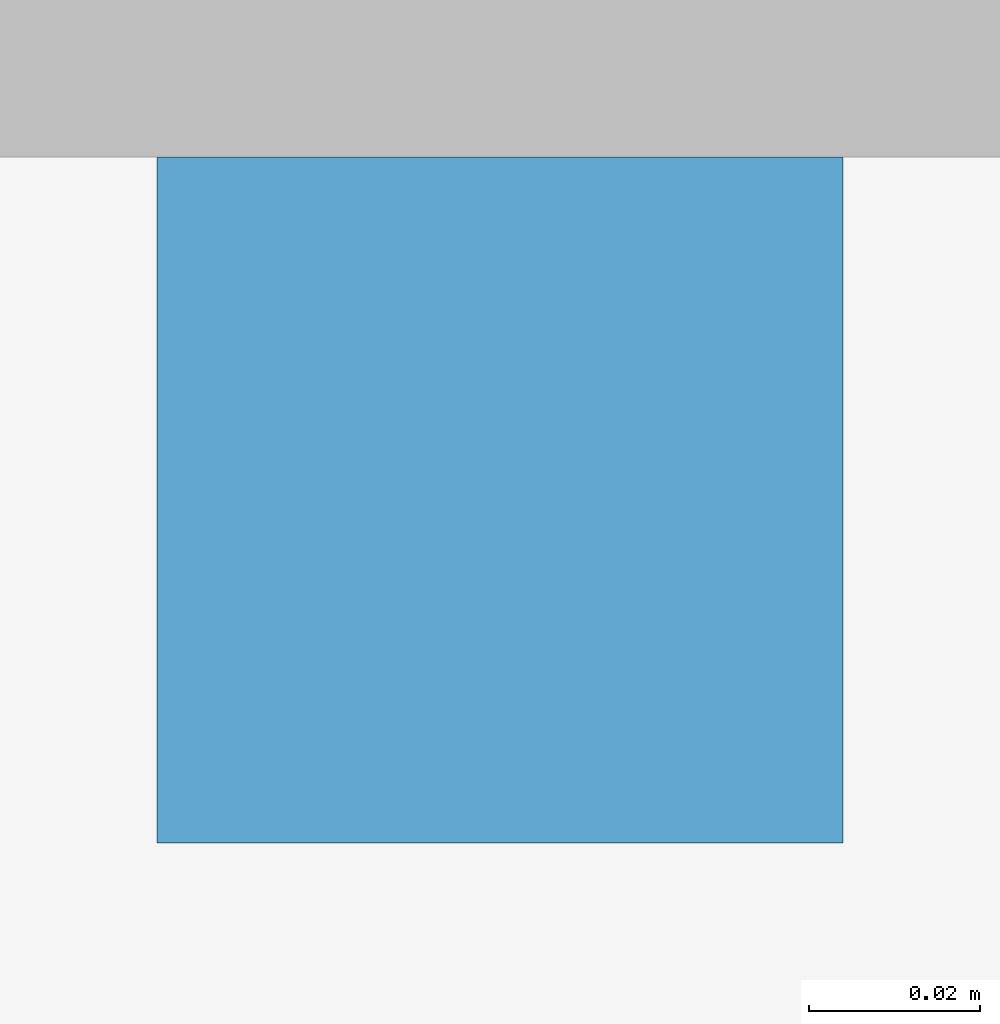
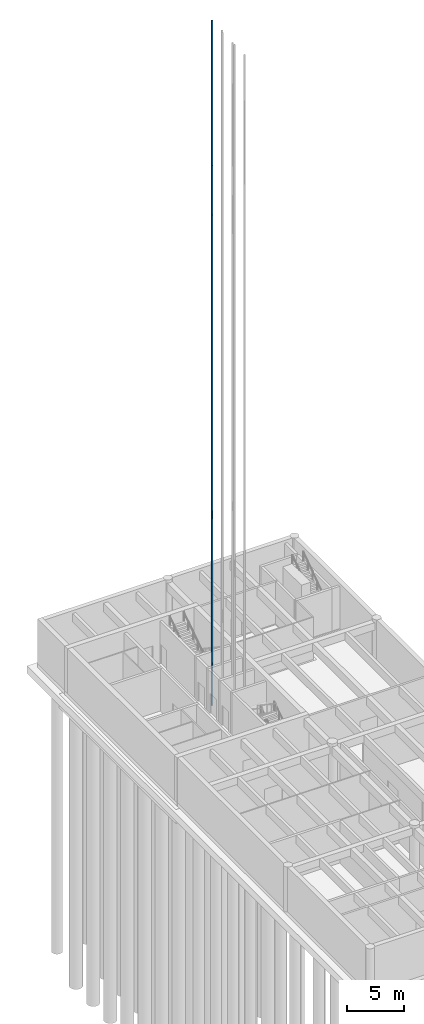
# One storey, part 20 of 24: 1 building element part.
"""IFC4 building model written with IfcOpenShell, lengths in metres."""

from ifc_helpers import new_model, si_unit, direction, frame, origin, origin_2d, place, context, subcontext, project, spatial, rectangle, extrude, element, save


model = new_model("IFC4")

# Units and contexts
model_context = context("Model", 3, precision=1e-05, world=origin(), true_north=direction((0.0, 1.0)))
body_context = subcontext(model_context, "Body", "Model", "MODEL_VIEW")
ifc_project = project(units=[si_unit("LENGTHUNIT", "METRE"), si_unit("AREAUNIT", "SQUARE_METRE"), si_unit("VOLUMEUNIT", "CUBIC_METRE"), si_unit("PLANEANGLEUNIT", "RADIAN"), si_unit("MASSUNIT", "GRAM", prefix="KILO")], contexts=[model_context])

# Site, building, storey
site_placement = place(None, origin())
site = spatial("IfcSite", under=ifc_project, at=site_placement, CompositionType="ELEMENT")
building_placement = place(site_placement, origin())
building = spatial("IfcBuilding", under=site, at=building_placement, Name="Fogon Plaza Fire Station and Headquarters Tower", CompositionType="ELEMENT")
storey_placement = place(building_placement, frame((0.0, 0.0, -4.800048828125)))
storey = spatial("IfcBuildingStorey", under=building, at=storey_placement, Name="B1", CompositionType="ELEMENT", Elevation=-4.800048828125)

# Building element part
building_element_part_placement = place(storey_placement, frame((74.675048828125, 46.18505859375, -1.19970703125), z_axis=(0.0, 0.0, 1.0), x_axis=(1.0, 0.0, 0.0)))
element("IfcBuildingElementPart", 1, at=building_element_part_placement, inside=storey, Name="Guide rail FL2 2", ObjectType="Guide rail", PredefinedType="USERDEFINED", context=body_context, shape_type="SweptSolid", body=[
    extrude(rectangle(XDim=0.080078125, YDim=0.080078125, at=origin_2d()), origin(), (0.0, 0.0, 1.0), 73.199951171875),
])

save(model, "model.ifc")
